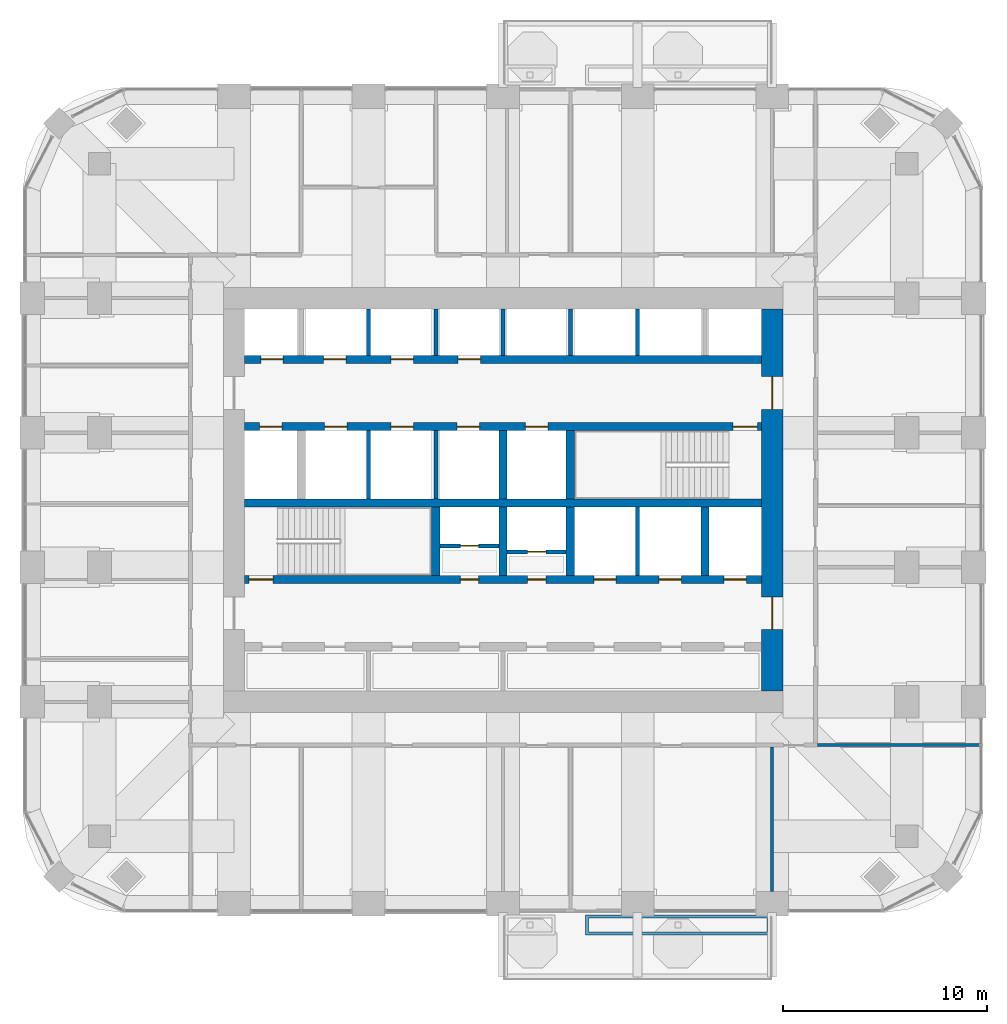
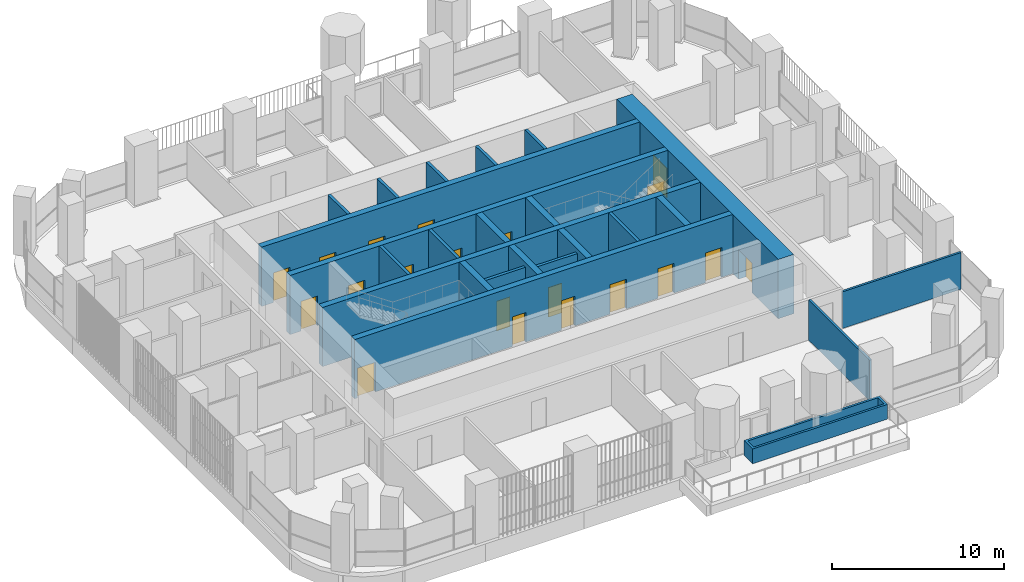
# One storey, part 14 of 20: 24 walls, 20 doors, 20 openings.
"""IFC4 building model written with IfcOpenShell, lengths in metres."""

from ifc_helpers import new_model, si_unit, direction, frame, frame_2d, origin, place, context, subcontext, project, spatial, polyline, rectangle, outline, extrude, material, layer, layer_set, type_object, element, fill, save


model = new_model("IFC4")

# Units and contexts
model_context = context("Model", 3, precision=1e-05, world=origin(), true_north=direction((0.0, 1.0)))
body_context = subcontext(model_context, "Body", "Model", "MODEL_VIEW")
ifc_project = project(units=[si_unit("LENGTHUNIT", "METRE"), si_unit("AREAUNIT", "SQUARE_METRE"), si_unit("VOLUMEUNIT", "CUBIC_METRE"), si_unit("PLANEANGLEUNIT", "RADIAN"), si_unit("MASSUNIT", "GRAM", prefix="KILO")], contexts=[model_context])

# Site, building, storey
site_placement = place(None, origin())
site = spatial("IfcSite", under=ifc_project, at=site_placement, CompositionType="ELEMENT")
building_placement = place(site_placement, origin())
building = spatial("IfcBuilding", under=site, at=building_placement, Name="Cobogo Forest Laboratory Tower", CompositionType="ELEMENT")
storey_placement = place(building_placement, frame((0.0, 0.0, 214.5)))
storey = spatial("IfcBuildingStorey", under=building, at=storey_placement, Name="L49", CompositionType="ELEMENT", Elevation=214.5)

# Wall, openings, doors
ifc_material_1 = material(Name="Concrete HA-50 (C50/60)", Category="concrete")
ifc_layer_1 = layer(ifc_material_1, 0.39990234375)
ifc_layer_set_1 = layer_set([ifc_layer_1], Name="CI400 core inner wall 400")
wall_type_1 = type_object("IfcWallType", Name="CI400 core inner wall 400", PredefinedType="SHEAR", material=ifc_layer_set_1)
wall_1_placement = place(storey_placement, frame((13.72509765625, 19.199951171875, 0.0), z_axis=(0.0, 0.0, 1.0), x_axis=(1.0, 0.0, 0.0)))
wall_1 = element("IfcWall", 1, at=wall_1_placement, inside=storey, type_object=wall_type_1, Name="Core wall CI-19.2 L49", PredefinedType="SHEAR", context=body_context, shape_type="SweptSolid", body=[
    extrude(rectangle(XDim=25.349853515625, YDim=0.39990234375, at=frame_2d((12.6748046875, 0.0))), origin(), (0.0, 0.0, 1.0), 4.199951171875),
])
opening_1_placement = place(wall_1_placement, frame((10.574951171875, 0.0, 0.0)))
opening_1 = element("IfcOpeningElement", 2, at=opening_1_placement, cuts=wall_1, Name="Opening L49-D22", PredefinedType="OPENING", context=body_context, shape_type="SweptSolid", body=[
    extrude(rectangle(XDim=0.89990234375, YDim=2.10009765625, at=frame_2d((0.449951171875, 1.050048828125))), frame((0.0, 0.2099609375, 0.0), z_axis=(0.0, -1.0, 0.0), x_axis=(1.0, 0.0, 0.0)), (0.0, 0.0, 1.0), 0.419921875),
])
opening_2_placement = place(wall_1_placement, frame((13.875, 0.0, 0.0)))
opening_2 = element("IfcOpeningElement", 3, at=opening_2_placement, cuts=wall_1, Name="Opening L49-D23", PredefinedType="OPENING", context=body_context, shape_type="SweptSolid", body=[
    extrude(rectangle(XDim=0.89990234375, YDim=2.10009765625, at=frame_2d((0.449951171875, 1.050048828125))), frame((0.0, 0.2099609375, 0.0), z_axis=(0.0, -1.0, 0.0), x_axis=(1.0, 0.0, 0.0)), (0.0, 0.0, 1.0), 0.419921875),
])
opening_3_placement = place(wall_1_placement, frame((0.199951171875, 0.0, 0.0)))
opening_3 = element("IfcOpeningElement", 4, at=opening_3_placement, cuts=wall_1, Name="Opening L49-D21", PredefinedType="OPENING", context=body_context, shape_type="SweptSolid", body=[
    extrude(rectangle(XDim=1.199951171875, YDim=2.10009765625, at=frame_2d((0.60009765625, 1.050048828125))), frame((0.0, 0.2099609375, 0.0), z_axis=(0.0, -1.0, 0.0), x_axis=(1.0, 0.0, 0.0)), (0.0, 0.0, 1.0), 0.419921875),
])
opening_4_placement = place(wall_1_placement, frame((23.512451171875, 0.0, 0.0)))
opening_4 = element("IfcOpeningElement", 5, at=opening_4_placement, cuts=wall_1, Name="Opening L49-LD-FL2", PredefinedType="OPENING", context=body_context, shape_type="SweptSolid", body=[
    extrude(rectangle(XDim=1.10009765625, YDim=2.10009765625, at=frame_2d((0.550048828125, 1.050048828125))), frame((0.0, 0.2099609375, 0.0), z_axis=(0.0, -1.0, 0.0), x_axis=(1.0, 0.0, 0.0)), (0.0, 0.0, 1.0), 0.419921875),
])
opening_5_placement = place(wall_1_placement, frame((17.125, 0.0, 0.0)))
opening_5 = element("IfcOpeningElement", 6, at=opening_5_placement, cuts=wall_1, Name="Opening L49-LD-LS1", PredefinedType="OPENING", context=body_context, shape_type="SweptSolid", body=[
    extrude(rectangle(XDim=1.10009765625, YDim=2.10009765625, at=frame_2d((0.550048828125, 1.050048828125))), frame((0.0, 0.2099609375, 0.0), z_axis=(0.0, -1.0, 0.0), x_axis=(1.0, 0.0, 0.0)), (0.0, 0.0, 1.0), 0.419921875),
])
opening_6_placement = place(wall_1_placement, frame((20.324951171875, 0.0, 0.0)))
opening_6 = element("IfcOpeningElement", 7, at=opening_6_placement, cuts=wall_1, Name="Opening L49-LD-LS2", PredefinedType="OPENING", context=body_context, shape_type="SweptSolid", body=[
    extrude(rectangle(XDim=1.10009765625, YDim=2.10009765625, at=frame_2d((0.550048828125, 1.050048828125))), frame((0.0, 0.2099609375, 0.0), z_axis=(0.0, -1.0, 0.0), x_axis=(1.0, 0.0, 0.0)), (0.0, 0.0, 1.0), 0.419921875),
])
ifc_material_2 = material(Name="Steel fire door", Category="steel")
door_type_1 = type_object("IfcDoorType", Name="DS1 protected stair door 1200 EI2 60", OperationType="SINGLE_SWING_LEFT", PredefinedType="DOOR", material=ifc_material_2)
door_1_placement = place(opening_3_placement, origin())
door_1 = element("IfcDoor", 8, at=door_1_placement, inside=storey, type_object=door_type_1, Name="Door L49-ST1", OperationType="SINGLE_SWING_LEFT", OverallHeight=2.10009765625, OverallWidth=1.199951171875, PredefinedType="DOOR", context=body_context, shape_type="SweptSolid", body=[
    extrude(rectangle(XDim=1.199951171875, YDim=2.10009765625, at=frame_2d((0.60009765625, 1.050048828125))), frame((0.0, 0.02490234375, 0.0), z_axis=(0.0, -1.0, 0.0), x_axis=(1.0, 0.0, 0.0)), (0.0, 0.0, 1.0), 0.050048828125),
])
fill(opening_3, door_1)
door_type_2 = type_object("IfcDoorType", Name="FD4 riser access door 900 EI2 60", OperationType="SINGLE_SWING_LEFT", PredefinedType="DOOR", material=ifc_material_2)
door_2_placement = place(opening_1_placement, origin())
door_2 = element("IfcDoor", 9, at=door_2_placement, inside=storey, type_object=door_type_2, Name="Door L49-R1V", OperationType="SINGLE_SWING_LEFT", OverallHeight=2.10009765625, OverallWidth=0.89990234375, PredefinedType="DOOR", context=body_context, shape_type="SweptSolid", body=[
    extrude(rectangle(XDim=0.89990234375, YDim=2.10009765625, at=frame_2d((0.449951171875, 1.050048828125))), frame((0.0, 0.02490234375, 0.0), z_axis=(0.0, -1.0, 0.0), x_axis=(1.0, 0.0, 0.0)), (0.0, 0.0, 1.0), 0.050048828125),
])
fill(opening_1, door_2)
door_3_placement = place(opening_2_placement, origin())
door_3 = element("IfcDoor", 10, at=door_3_placement, inside=storey, type_object=door_type_2, Name="Door L49-R2V", OperationType="SINGLE_SWING_RIGHT", OverallHeight=2.10009765625, OverallWidth=0.89990234375, PredefinedType="DOOR", context=body_context, shape_type="SweptSolid", body=[
    extrude(rectangle(XDim=0.89990234375, YDim=2.10009765625, at=frame_2d((0.449951171875, 1.050048828125))), frame((0.0, 0.02490234375, 0.0), z_axis=(0.0, -1.0, 0.0), x_axis=(1.0, 0.0, 0.0)), (0.0, 0.0, 1.0), 0.050048828125),
])
fill(opening_2, door_3)
ifc_material_3 = material(Name="Stainless steel lift door", Category="steel")
door_type_3 = type_object("IfcDoorType", Name="LD lift landing door 1100", OperationType="DOUBLE_DOOR_SLIDING", PredefinedType="DOOR", material=ifc_material_3)
door_4_placement = place(opening_4_placement, origin())
door_4 = element("IfcDoor", 11, at=door_4_placement, inside=storey, type_object=door_type_3, Name="Lift landing door FL2 L49", OperationType="DOUBLE_DOOR_SLIDING", OverallHeight=2.10009765625, OverallWidth=1.10009765625, PredefinedType="DOOR", context=body_context, shape_type="SweptSolid", body=[
    extrude(rectangle(XDim=1.10009765625, YDim=2.10009765625, at=frame_2d((0.550048828125, 1.050048828125))), frame((0.0, 0.02490234375, 0.0), z_axis=(0.0, -1.0, 0.0), x_axis=(1.0, 0.0, 0.0)), (0.0, 0.0, 1.0), 0.050048828125),
])
fill(opening_4, door_4)
door_5_placement = place(opening_5_placement, origin())
door_5 = element("IfcDoor", 12, at=door_5_placement, inside=storey, type_object=door_type_3, Name="Lift landing door LS1 L49", OperationType="DOUBLE_DOOR_SLIDING", OverallHeight=2.10009765625, OverallWidth=1.10009765625, PredefinedType="DOOR", context=body_context, shape_type="SweptSolid", body=[
    extrude(rectangle(XDim=1.10009765625, YDim=2.10009765625, at=frame_2d((0.550048828125, 1.050048828125))), frame((0.0, 0.02490234375, 0.0), z_axis=(0.0, -1.0, 0.0), x_axis=(1.0, 0.0, 0.0)), (0.0, 0.0, 1.0), 0.050048828125),
])
fill(opening_5, door_5)
door_6_placement = place(opening_6_placement, origin())
door_6 = element("IfcDoor", 13, at=door_6_placement, inside=storey, type_object=door_type_3, Name="Lift landing door LS2 L49", OperationType="DOUBLE_DOOR_SLIDING", OverallHeight=2.10009765625, OverallWidth=1.10009765625, PredefinedType="DOOR", context=body_context, shape_type="SweptSolid", body=[
    extrude(rectangle(XDim=1.10009765625, YDim=2.10009765625, at=frame_2d((0.550048828125, 1.050048828125))), frame((0.0, 0.02490234375, 0.0), z_axis=(0.0, -1.0, 0.0), x_axis=(1.0, 0.0, 0.0)), (0.0, 0.0, 1.0), 0.050048828125),
])
fill(opening_6, door_6)

# Wall
wall_2_placement = place(storey_placement, frame((13.72509765625, 22.949951171875, 0.0), z_axis=(0.0, 0.0, 1.0), x_axis=(1.0, 0.0, 0.0)))
element("IfcWall", 14, at=wall_2_placement, inside=storey, type_object=wall_type_1, Name="Core wall CI-22.95 L49", PredefinedType="SHEAR", context=body_context, shape_type="SweptSolid", body=[
    extrude(rectangle(XDim=25.349853515625, YDim=0.39990234375, at=frame_2d((12.6748046875, 0.0))), origin(), (0.0, 0.0, 1.0), 4.199951171875),
])

# Wall, openings, doors
wall_3_placement = place(storey_placement, frame((13.72509765625, 26.699951171875, 0.0), z_axis=(0.0, 0.0, 1.0), x_axis=(1.0, 0.0, 0.0)))
wall_3 = element("IfcWall", 15, at=wall_3_placement, inside=storey, type_object=wall_type_1, Name="Core wall CI-26.7 L49", PredefinedType="SHEAR", context=body_context, shape_type="SweptSolid", body=[
    extrude(rectangle(XDim=25.349853515625, YDim=0.39990234375, at=frame_2d((12.6748046875, 0.0))), origin(), (0.0, 0.0, 1.0), 4.199951171875),
])
opening_7_placement = place(wall_3_placement, frame((23.949951171875, 0.0, 0.0)))
opening_7 = element("IfcOpeningElement", 16, at=opening_7_placement, cuts=wall_3, Name="Opening L49-D30", PredefinedType="OPENING", context=body_context, shape_type="SweptSolid", body=[
    extrude(rectangle(XDim=1.199951171875, YDim=2.10009765625, at=frame_2d((0.60009765625, 1.050048828125))), frame((0.0, 0.2099609375, 0.0), z_axis=(0.0, -1.0, 0.0), x_axis=(1.0, 0.0, 0.0)), (0.0, 0.0, 1.0), 0.419921875),
])
opening_8_placement = place(wall_3_placement, frame((0.737548828125, 0.0, 0.0)))
opening_8 = element("IfcOpeningElement", 17, at=opening_8_placement, cuts=wall_3, Name="Opening L49-LD-FL1", PredefinedType="OPENING", context=body_context, shape_type="SweptSolid", body=[
    extrude(rectangle(XDim=1.10009765625, YDim=2.10009765625, at=frame_2d((0.550048828125, 1.050048828125))), frame((0.0, 0.2099609375, 0.0), z_axis=(0.0, -1.0, 0.0), x_axis=(1.0, 0.0, 0.0)), (0.0, 0.0, 1.0), 0.419921875),
])
opening_9_placement = place(wall_3_placement, frame((3.925048828125, 0.0, 0.0)))
opening_9 = element("IfcOpeningElement", 18, at=opening_9_placement, cuts=wall_3, Name="Opening L49-LD-LS3", PredefinedType="OPENING", context=body_context, shape_type="SweptSolid", body=[
    extrude(rectangle(XDim=1.10009765625, YDim=2.10009765625, at=frame_2d((0.550048828125, 1.050048828125))), frame((0.0, 0.2099609375, 0.0), z_axis=(0.0, -1.0, 0.0), x_axis=(1.0, 0.0, 0.0)), (0.0, 0.0, 1.0), 0.419921875),
])
opening_10_placement = place(wall_3_placement, frame((7.175048828125, 0.0, 0.0)))
opening_10 = element("IfcOpeningElement", 19, at=opening_10_placement, cuts=wall_3, Name="Opening L49-LD-LS4", PredefinedType="OPENING", context=body_context, shape_type="SweptSolid", body=[
    extrude(rectangle(XDim=1.10009765625, YDim=2.10009765625, at=frame_2d((0.550048828125, 1.050048828125))), frame((0.0, 0.2099609375, 0.0), z_axis=(0.0, -1.0, 0.0), x_axis=(1.0, 0.0, 0.0)), (0.0, 0.0, 1.0), 0.419921875),
])
opening_11_placement = place(wall_3_placement, frame((10.425048828125, 0.0, 0.0)))
opening_11 = element("IfcOpeningElement", 20, at=opening_11_placement, cuts=wall_3, Name="Opening L49-LD-LS5", PredefinedType="OPENING", context=body_context, shape_type="SweptSolid", body=[
    extrude(rectangle(XDim=1.10009765625, YDim=2.10009765625, at=frame_2d((0.550048828125, 1.050048828125))), frame((0.0, 0.2099609375, 0.0), z_axis=(0.0, -1.0, 0.0), x_axis=(1.0, 0.0, 0.0)), (0.0, 0.0, 1.0), 0.419921875),
])
opening_12_placement = place(wall_3_placement, frame((13.77490234375, 0.0, 0.0)))
opening_12 = element("IfcOpeningElement", 21, at=opening_12_placement, cuts=wall_3, Name="Opening L49-LD-LS6", PredefinedType="OPENING", context=body_context, shape_type="SweptSolid", body=[
    extrude(rectangle(XDim=1.10009765625, YDim=2.10009765625, at=frame_2d((0.550048828125, 1.050048828125))), frame((0.0, 0.2099609375, 0.0), z_axis=(0.0, -1.0, 0.0), x_axis=(1.0, 0.0, 0.0)), (0.0, 0.0, 1.0), 0.419921875),
])
door_7_placement = place(opening_7_placement, origin())
door_7 = element("IfcDoor", 22, at=door_7_placement, inside=storey, type_object=door_type_1, Name="Door L49-ST2", OperationType="SINGLE_SWING_RIGHT", OverallHeight=2.10009765625, OverallWidth=1.199951171875, PredefinedType="DOOR", context=body_context, shape_type="SweptSolid", body=[
    extrude(rectangle(XDim=1.199951171875, YDim=2.10009765625, at=frame_2d((0.60009765625, 1.050048828125))), frame((0.0, 0.02490234375, 0.0), z_axis=(0.0, -1.0, 0.0), x_axis=(1.0, 0.0, 0.0)), (0.0, 0.0, 1.0), 0.050048828125),
])
fill(opening_7, door_7)
door_8_placement = place(opening_8_placement, origin())
door_8 = element("IfcDoor", 23, at=door_8_placement, inside=storey, type_object=door_type_3, Name="Lift landing door FL1 L49", OperationType="DOUBLE_DOOR_SLIDING", OverallHeight=2.10009765625, OverallWidth=1.10009765625, PredefinedType="DOOR", context=body_context, shape_type="SweptSolid", body=[
    extrude(rectangle(XDim=1.10009765625, YDim=2.10009765625, at=frame_2d((0.550048828125, 1.050048828125))), frame((0.0, 0.02490234375, 0.0), z_axis=(0.0, -1.0, 0.0), x_axis=(1.0, 0.0, 0.0)), (0.0, 0.0, 1.0), 0.050048828125),
])
fill(opening_8, door_8)
door_9_placement = place(opening_9_placement, origin())
door_9 = element("IfcDoor", 24, at=door_9_placement, inside=storey, type_object=door_type_3, Name="Lift landing door LS3 L49", OperationType="DOUBLE_DOOR_SLIDING", OverallHeight=2.10009765625, OverallWidth=1.10009765625, PredefinedType="DOOR", context=body_context, shape_type="SweptSolid", body=[
    extrude(rectangle(XDim=1.10009765625, YDim=2.10009765625, at=frame_2d((0.550048828125, 1.050048828125))), frame((0.0, 0.02490234375, 0.0), z_axis=(0.0, -1.0, 0.0), x_axis=(1.0, 0.0, 0.0)), (0.0, 0.0, 1.0), 0.050048828125),
])
fill(opening_9, door_9)
door_10_placement = place(opening_10_placement, origin())
door_10 = element("IfcDoor", 25, at=door_10_placement, inside=storey, type_object=door_type_3, Name="Lift landing door LS4 L49", OperationType="DOUBLE_DOOR_SLIDING", OverallHeight=2.10009765625, OverallWidth=1.10009765625, PredefinedType="DOOR", context=body_context, shape_type="SweptSolid", body=[
    extrude(rectangle(XDim=1.10009765625, YDim=2.10009765625, at=frame_2d((0.550048828125, 1.050048828125))), frame((0.0, 0.02490234375, 0.0), z_axis=(0.0, -1.0, 0.0), x_axis=(1.0, 0.0, 0.0)), (0.0, 0.0, 1.0), 0.050048828125),
])
fill(opening_10, door_10)
door_11_placement = place(opening_11_placement, origin())
door_11 = element("IfcDoor", 26, at=door_11_placement, inside=storey, type_object=door_type_3, Name="Lift landing door LS5 L49", OperationType="DOUBLE_DOOR_SLIDING", OverallHeight=2.10009765625, OverallWidth=1.10009765625, PredefinedType="DOOR", context=body_context, shape_type="SweptSolid", body=[
    extrude(rectangle(XDim=1.10009765625, YDim=2.10009765625, at=frame_2d((0.550048828125, 1.050048828125))), frame((0.0, 0.02490234375, 0.0), z_axis=(0.0, -1.0, 0.0), x_axis=(1.0, 0.0, 0.0)), (0.0, 0.0, 1.0), 0.050048828125),
])
fill(opening_11, door_11)
door_12_placement = place(opening_12_placement, origin())
door_12 = element("IfcDoor", 27, at=door_12_placement, inside=storey, type_object=door_type_3, Name="Lift landing door LS6 L49", OperationType="DOUBLE_DOOR_SLIDING", OverallHeight=2.10009765625, OverallWidth=1.10009765625, PredefinedType="DOOR", context=body_context, shape_type="SweptSolid", body=[
    extrude(rectangle(XDim=1.10009765625, YDim=2.10009765625, at=frame_2d((0.550048828125, 1.050048828125))), frame((0.0, 0.02490234375, 0.0), z_axis=(0.0, -1.0, 0.0), x_axis=(1.0, 0.0, 0.0)), (0.0, 0.0, 1.0), 0.050048828125),
])
fill(opening_12, door_12)

wall_4_placement = place(storey_placement, frame((13.72509765625, 30.0, 0.0), z_axis=(0.0, 0.0, 1.0), x_axis=(1.0, 0.0, 0.0)))
wall_4 = element("IfcWall", 28, at=wall_4_placement, inside=storey, type_object=wall_type_1, Name="Core wall CI-30.0 L49", PredefinedType="SHEAR", context=body_context, shape_type="SweptSolid", body=[
    extrude(rectangle(XDim=25.349853515625, YDim=0.39990234375, at=frame_2d((12.6748046875, 0.0))), origin(), (0.0, 0.0, 1.0), 4.199951171875),
])
opening_13_placement = place(wall_4_placement, frame((0.78759765625, 0.0, 0.0)))
opening_13 = element("IfcOpeningElement", 29, at=opening_13_placement, cuts=wall_4, Name="Opening L49-LD-LC1", PredefinedType="OPENING", context=body_context, shape_type="SweptSolid", body=[
    extrude(rectangle(XDim=1.10009765625, YDim=2.10009765625, at=frame_2d((0.550048828125, 1.050048828125))), frame((0.0, 0.2099609375, 0.0), z_axis=(0.0, -1.0, 0.0), x_axis=(1.0, 0.0, 0.0)), (0.0, 0.0, 1.0), 0.419921875),
])
opening_14_placement = place(wall_4_placement, frame((3.875, 0.0, 0.0)))
opening_14 = element("IfcOpeningElement", 30, at=opening_14_placement, cuts=wall_4, Name="Opening L49-LD-LC2", PredefinedType="OPENING", context=body_context, shape_type="SweptSolid", body=[
    extrude(rectangle(XDim=1.10009765625, YDim=2.10009765625, at=frame_2d((0.550048828125, 1.050048828125))), frame((0.0, 0.2099609375, 0.0), z_axis=(0.0, -1.0, 0.0), x_axis=(1.0, 0.0, 0.0)), (0.0, 0.0, 1.0), 0.419921875),
])
opening_15_placement = place(wall_4_placement, frame((7.175048828125, 0.0, 0.0)))
opening_15 = element("IfcOpeningElement", 31, at=opening_15_placement, cuts=wall_4, Name="Opening L49-LD-LC3", PredefinedType="OPENING", context=body_context, shape_type="SweptSolid", body=[
    extrude(rectangle(XDim=1.10009765625, YDim=2.10009765625, at=frame_2d((0.550048828125, 1.050048828125))), frame((0.0, 0.2099609375, 0.0), z_axis=(0.0, -1.0, 0.0), x_axis=(1.0, 0.0, 0.0)), (0.0, 0.0, 1.0), 0.419921875),
])
opening_16_placement = place(wall_4_placement, frame((10.47509765625, 0.0, 0.0)))
opening_16 = element("IfcOpeningElement", 32, at=opening_16_placement, cuts=wall_4, Name="Opening L49-LD-LC4", PredefinedType="OPENING", context=body_context, shape_type="SweptSolid", body=[
    extrude(rectangle(XDim=1.10009765625, YDim=2.10009765625, at=frame_2d((0.550048828125, 1.050048828125))), frame((0.0, 0.2099609375, 0.0), z_axis=(0.0, -1.0, 0.0), x_axis=(1.0, 0.0, 0.0)), (0.0, 0.0, 1.0), 0.419921875),
])
door_13_placement = place(opening_13_placement, origin())
door_13 = element("IfcDoor", 33, at=door_13_placement, inside=storey, type_object=door_type_3, Name="Lift landing door LC1 L49", OperationType="DOUBLE_DOOR_SLIDING", OverallHeight=2.10009765625, OverallWidth=1.10009765625, PredefinedType="DOOR", context=body_context, shape_type="SweptSolid", body=[
    extrude(rectangle(XDim=1.10009765625, YDim=2.10009765625, at=frame_2d((0.550048828125, 1.050048828125))), frame((0.0, 0.02490234375, 0.0), z_axis=(0.0, -1.0, 0.0), x_axis=(1.0, 0.0, 0.0)), (0.0, 0.0, 1.0), 0.050048828125),
])
fill(opening_13, door_13)
door_14_placement = place(opening_14_placement, origin())
door_14 = element("IfcDoor", 34, at=door_14_placement, inside=storey, type_object=door_type_3, Name="Lift landing door LC2 L49", OperationType="DOUBLE_DOOR_SLIDING", OverallHeight=2.10009765625, OverallWidth=1.10009765625, PredefinedType="DOOR", context=body_context, shape_type="SweptSolid", body=[
    extrude(rectangle(XDim=1.10009765625, YDim=2.10009765625, at=frame_2d((0.550048828125, 1.050048828125))), frame((0.0, 0.02490234375, 0.0), z_axis=(0.0, -1.0, 0.0), x_axis=(1.0, 0.0, 0.0)), (0.0, 0.0, 1.0), 0.050048828125),
])
fill(opening_14, door_14)
door_15_placement = place(opening_15_placement, origin())
door_15 = element("IfcDoor", 35, at=door_15_placement, inside=storey, type_object=door_type_3, Name="Lift landing door LC3 L49", OperationType="DOUBLE_DOOR_SLIDING", OverallHeight=2.10009765625, OverallWidth=1.10009765625, PredefinedType="DOOR", context=body_context, shape_type="SweptSolid", body=[
    extrude(rectangle(XDim=1.10009765625, YDim=2.10009765625, at=frame_2d((0.550048828125, 1.050048828125))), frame((0.0, 0.02490234375, 0.0), z_axis=(0.0, -1.0, 0.0), x_axis=(1.0, 0.0, 0.0)), (0.0, 0.0, 1.0), 0.050048828125),
])
fill(opening_15, door_15)
door_16_placement = place(opening_16_placement, origin())
door_16 = element("IfcDoor", 36, at=door_16_placement, inside=storey, type_object=door_type_3, Name="Lift landing door LC4 L49", OperationType="DOUBLE_DOOR_SLIDING", OverallHeight=2.10009765625, OverallWidth=1.10009765625, PredefinedType="DOOR", context=body_context, shape_type="SweptSolid", body=[
    extrude(rectangle(XDim=1.10009765625, YDim=2.10009765625, at=frame_2d((0.550048828125, 1.050048828125))), frame((0.0, 0.02490234375, 0.0), z_axis=(0.0, -1.0, 0.0), x_axis=(1.0, 0.0, 0.0)), (0.0, 0.0, 1.0), 0.050048828125),
])
fill(opening_16, door_16)

# Walls
for number, where, z_axis, x_axis, name in (
    (37, (23.10009765625, 19.39990234375, 0.0), (0.0, 0.0, 1.0), (0.0, 1.0, 0.0), "Core wall CX-23.1 L49"),
    (38, (26.39990234375, 19.39990234375, 0.0), (0.0, 0.0, 1.0), (0.0, 1.0, 0.0), "Core wall CX-26.4S L49"),
    (39, (29.699951171875, 19.39990234375, 0.0), (0.0, 0.0, 1.0), (0.0, 1.0, 0.0), "Core wall CX-29.7S L49"),
    (40, (36.300048828125, 19.39990234375, 0.0), (0.0, 0.0, 1.0), (0.0, 1.0, 0.0), "Core wall CX-36.3 L49"),
    (41, (26.39990234375, 23.14990234375, 0.0), (0.0, 0.0, 1.0), (0.0, 1.0, 0.0), "Core wall CX-26.4N L49"),
    (42, (29.699951171875, 23.14990234375, 0.0), (0.0, 0.0, 1.0), (0.0, 1.0, 0.0), "Core wall CX-29.7N L49"),
):
    element("IfcWall", number, at=place(storey_placement, frame(where, z_axis=z_axis, x_axis=x_axis)), inside=storey, type_object=wall_type_1, Name=name, PredefinedType="SHEAR", context=body_context, shape_type="SweptSolid", body=[
        extrude(rectangle(XDim=3.35009765625, YDim=0.39990234375, at=frame_2d((1.675048828125, 0.0))), origin(), (0.0, 0.0, 1.0), 4.199951171875),
    ])

# Wall, openings, doors
ifc_layer_2 = layer(ifc_material_1, 1.050048828125)
ifc_layer_set_2 = layer_set([ifc_layer_2], Name="CW1050 core outer wall 1050")
wall_type_2 = type_object("IfcWallType", Name="CW1050 core outer wall 1050", PredefinedType="SHEAR", material=ifc_layer_set_2)
wall_5_placement = place(storey_placement, frame((39.60009765625, 13.72509765625, 0.0), z_axis=(0.0, 0.0, 1.0), x_axis=(0.0, 1.0, 0.0)))
wall_5 = element("IfcWall", 43, at=wall_5_placement, inside=storey, type_object=wall_type_2, Name="Core wall CO-E L49", PredefinedType="SHEAR", context=body_context, shape_type="SweptSolid", body=[
    extrude(rectangle(XDim=18.75, YDim=1.050048828125, at=frame_2d((9.375, 0.0))), origin(), (0.0, 0.0, 1.0), 4.199951171875),
])
opening_17_placement = place(wall_5_placement, frame((3.02490234375, 0.0, 0.0)))
opening_17 = element("IfcOpeningElement", 44, at=opening_17_placement, cuts=wall_5, Name="Opening L49-D20", PredefinedType="OPENING", context=body_context, shape_type="SweptSolid", body=[
    extrude(rectangle(XDim=1.60009765625, YDim=2.10009765625, at=frame_2d((0.800048828125, 1.050048828125))), frame((0.0, 0.534912109375, 0.0), z_axis=(0.0, -1.0, 0.0), x_axis=(1.0, 0.0, 0.0)), (0.0, 0.0, 1.0), 1.070068359375),
])
opening_18_placement = place(wall_5_placement, frame((13.824951171875, 0.0, 0.0)))
opening_18 = element("IfcOpeningElement", 45, at=opening_18_placement, cuts=wall_5, Name="Opening L49-D33", PredefinedType="OPENING", context=body_context, shape_type="SweptSolid", body=[
    extrude(rectangle(XDim=1.60009765625, YDim=2.10009765625, at=frame_2d((0.800048828125, 1.050048828125))), frame((0.0, 0.534912109375, 0.0), z_axis=(0.0, -1.0, 0.0), x_axis=(1.0, 0.0, 0.0)), (0.0, 0.0, 1.0), 1.070068359375),
])
door_type_4 = type_object("IfcDoorType", Name="DS2 protected lobby door pair 1600 EI2 60", OperationType="DOUBLE_DOOR_DOUBLE_SWING", PredefinedType="DOOR", material=ifc_material_2)
door_17_placement = place(opening_17_placement, origin())
door_17 = element("IfcDoor", 46, at=door_17_placement, inside=storey, type_object=door_type_4, Name="Door L49-CO-E-S", OperationType="DOUBLE_DOOR_DOUBLE_SWING", OverallHeight=2.10009765625, OverallWidth=1.60009765625, PredefinedType="DOOR", context=body_context, shape_type="SweptSolid", body=[
    extrude(rectangle(XDim=1.60009765625, YDim=2.10009765625, at=frame_2d((0.800048828125, 1.050048828125))), frame((0.0, 0.02490234375, 0.0), z_axis=(0.0, -1.0, 0.0), x_axis=(1.0, 0.0, 0.0)), (0.0, 0.0, 1.0), 0.050048828125),
])
fill(opening_17, door_17)
door_18_placement = place(opening_18_placement, origin())
door_18 = element("IfcDoor", 47, at=door_18_placement, inside=storey, type_object=door_type_4, Name="Door L49-CO-E-N", OperationType="DOUBLE_DOOR_DOUBLE_SWING", OverallHeight=2.10009765625, OverallWidth=1.60009765625, PredefinedType="DOOR", context=body_context, shape_type="SweptSolid", body=[
    extrude(rectangle(XDim=1.60009765625, YDim=2.10009765625, at=frame_2d((0.800048828125, 1.050048828125))), frame((0.0, 0.02490234375, 0.0), z_axis=(0.0, -1.0, 0.0), x_axis=(1.0, 0.0, 0.0)), (0.0, 0.0, 1.0), 0.050048828125),
])
fill(opening_18, door_18)

# Walls
ifc_material_4 = material(Name="Gypsum board on steel studs", Category="steel")
ifc_layer_3 = layer(ifc_material_4, 0.14990234375)
ifc_layer_set_3 = layer_set([ifc_layer_3], Name="PT1 laboratory partition 150")
wall_type_3 = type_object("IfcWallType", Name="PT1 laboratory partition 150", PredefinedType="PARTITIONING", material=ifc_layer_set_3)
wall_6_placement = place(storey_placement, frame((49.77001953125, 11.074951171875, 0.0), z_axis=(0.0, 0.0, 1.0), x_axis=(-1.0, 0.0, 0.0)))
element("IfcWall", 48, at=wall_6_placement, inside=storey, type_object=wall_type_3, Name="Partition PW-SE L49", PredefinedType="PARTITIONING", context=body_context, shape_type="SweptSolid", body=[
    extrude(rectangle(XDim=7.945068359375, YDim=0.14990234375, at=frame_2d((3.97265625, 0.0))), origin(), (0.0, 0.0, 1.0), 2.60009765625),
])
wall_7_placement = place(storey_placement, frame((39.60009765625, 3.89990234375, 0.0), z_axis=(0.0, 0.0, 1.0), x_axis=(0.0, 1.0, 0.0)))
element("IfcWall", 49, at=wall_7_placement, inside=storey, type_object=wall_type_3, Name="Partition CUT-S39.6-1 L49", PredefinedType="PARTITIONING", context=body_context, shape_type="SweptSolid", body=[
    extrude(rectangle(XDim=7.0751953125, YDim=0.14990234375, at=frame_2d((3.53759765625, 0.0))), origin(), (0.0, 0.0, 1.0), 2.85009765625),
])

# Wall, opening, door
ifc_layer_4 = layer(ifc_material_4, 0.199951171875)
ifc_layer_set_4 = layer_set([ifc_layer_4], Name="PT2 fire-rated corridor partition 200")
wall_type_4 = type_object("IfcWallType", Name="PT2 fire-rated corridor partition 200", PredefinedType="PARTITIONING", material=ifc_layer_set_4)
wall_8_placement = place(storey_placement, frame((23.300048828125, 20.85009765625, 0.0), z_axis=(0.0, 0.0, 1.0), x_axis=(1.0, 0.0, 0.0)))
wall_8 = element("IfcWall", 50, at=wall_8_placement, inside=storey, type_object=wall_type_4, Name="Partition RSPLIT-R1 L49", PredefinedType="PARTITIONING", context=body_context, shape_type="SweptSolid", body=[
    extrude(rectangle(XDim=2.89990234375, YDim=0.199951171875, at=frame_2d((1.449951171875, 0.0))), origin(), (0.0, 0.0, 1.0), 3.89990234375),
])
opening_19_placement = place(wall_8_placement, frame((1.0, 0.0, 0.0)))
opening_19 = element("IfcOpeningElement", 51, at=opening_19_placement, cuts=wall_8, Name="Opening L49-D25", PredefinedType="OPENING", context=body_context, shape_type="SweptSolid", body=[
    extrude(rectangle(XDim=0.89990234375, YDim=2.10009765625, at=frame_2d((0.449951171875, 1.050048828125))), frame((0.0, 0.10986328125, 0.0), z_axis=(0.0, -1.0, 0.0), x_axis=(1.0, 0.0, 0.0)), (0.0, 0.0, 1.0), 0.219970703125),
])
door_19_placement = place(opening_19_placement, origin())
door_19 = element("IfcDoor", 52, at=door_19_placement, inside=storey, type_object=door_type_2, Name="Door L49-R1", OperationType="SINGLE_SWING_RIGHT", OverallHeight=2.10009765625, OverallWidth=0.89990234375, PredefinedType="DOOR", context=body_context, shape_type="SweptSolid", body=[
    extrude(rectangle(XDim=0.89990234375, YDim=2.10009765625, at=frame_2d((0.449951171875, 1.050048828125))), frame((0.0, 0.02490234375, 0.0), z_axis=(0.0, -1.0, 0.0), x_axis=(1.0, 0.0, 0.0)), (0.0, 0.0, 1.0), 0.050048828125),
])
fill(opening_19, door_19)

wall_9_placement = place(storey_placement, frame((26.60009765625, 20.550048828125, 0.0), z_axis=(0.0, 0.0, 1.0), x_axis=(1.0, 0.0, 0.0)))
wall_9 = element("IfcWall", 53, at=wall_9_placement, inside=storey, type_object=wall_type_4, Name="Partition RSPLIT-R2 L49", PredefinedType="PARTITIONING", context=body_context, shape_type="SweptSolid", body=[
    extrude(rectangle(XDim=2.89990234375, YDim=0.199951171875, at=frame_2d((1.449951171875, 0.0))), origin(), (0.0, 0.0, 1.0), 3.89990234375),
])
opening_20_placement = place(wall_9_placement, frame((1.0, 0.0, 0.0)))
opening_20 = element("IfcOpeningElement", 54, at=opening_20_placement, cuts=wall_9, Name="Opening L49-D24", PredefinedType="OPENING", context=body_context, shape_type="SweptSolid", body=[
    extrude(rectangle(XDim=0.89990234375, YDim=2.10009765625, at=frame_2d((0.449951171875, 1.050048828125))), frame((0.0, 0.10986328125, 0.0), z_axis=(0.0, -1.0, 0.0), x_axis=(1.0, 0.0, 0.0)), (0.0, 0.0, 1.0), 0.219970703125),
])
door_20_placement = place(opening_20_placement, origin())
door_20 = element("IfcDoor", 55, at=door_20_placement, inside=storey, type_object=door_type_2, Name="Door L49-R2", OperationType="SINGLE_SWING_RIGHT", OverallHeight=2.10009765625, OverallWidth=0.89990234375, PredefinedType="DOOR", context=body_context, shape_type="SweptSolid", body=[
    extrude(rectangle(XDim=0.89990234375, YDim=2.10009765625, at=frame_2d((0.449951171875, 1.050048828125))), frame((0.0, 0.02490234375, 0.0), z_axis=(0.0, -1.0, 0.0), x_axis=(1.0, 0.0, 0.0)), (0.0, 0.0, 1.0), 0.050048828125),
])
fill(opening_20, door_20)

# Walls
ifc_material_5 = material(Name="Concrete HA-40 (C40/50)", Category="concrete")
ifc_layer_5 = layer(ifc_material_5, 0.14990234375)
ifc_layer_set_5 = layer_set([ifc_layer_5], Name="Planter box 1000x1050")
wall_type_5 = type_object("IfcWallType", Name="Planter box 1000x1050", PredefinedType="USERDEFINED", material=ifc_layer_set_5)
wall_10_placement = place(storey_placement, origin())
element("IfcWall", 56, at=wall_10_placement, inside=storey, type_object=wall_type_5, Name="Planter BAL-S1-2 L49", ObjectType="PLANTER", PredefinedType="USERDEFINED", context=body_context, shape_type="SweptSolid", body=[
    extrude(outline(polyline([(30.449951171875, 1.75), (39.5, 1.75), (39.5, 2.75), (30.449951171875, 2.75), (30.449951171875, 1.75)]), holes=[polyline([(30.60009765625, 1.89990234375), (39.35009765625, 1.89990234375), (39.35009765625, 2.60009765625), (30.60009765625, 2.60009765625), (30.60009765625, 1.89990234375)])]), origin(), (0.0, 0.0, 1.0), 1.050048828125),
])
ifc_material_6 = material(Name="Concrete block", Category="concrete")
ifc_layer_6 = layer(ifc_material_6, 0.199951171875)
ifc_layer_set_6 = layer_set([ifc_layer_6], Name="SW200 lift shaft separator 200")
wall_type_6 = type_object("IfcWallType", Name="SW200 lift shaft separator 200", PredefinedType="PARTITIONING", material=ifc_layer_set_6)
for number, where, z_axis, x_axis, name in (
    (57, (19.800048828125, 30.199951171875, 0.0), (0.0, 0.0, 1.0), (0.0, 1.0, 0.0), "Core wall SEP-N2 L49"),
    (58, (23.10009765625, 30.199951171875, 0.0), (0.0, 0.0, 1.0), (0.0, 1.0, 0.0), "Core wall SEP-N3 L49"),
    (59, (26.39990234375, 30.199951171875, 0.0), (0.0, 0.0, 1.0), (0.0, 1.0, 0.0), "Core wall SEP-N4 L49"),
    (60, (29.699951171875, 30.199951171875, 0.0), (0.0, 0.0, 1.0), (0.0, 1.0, 0.0), "Core wall SEP-N5 L49"),
    (61, (33.0, 30.199951171875, 0.0), (0.0, 0.0, 1.0), (0.0, 1.0, 0.0), "Core wall SEP-N6 L49"),
):
    element("IfcWall", number, at=place(storey_placement, frame(where, z_axis=z_axis, x_axis=x_axis)), inside=storey, type_object=wall_type_6, Name=name, PredefinedType="PARTITIONING", context=body_context, shape_type="SweptSolid", body=[
        extrude(rectangle(XDim=2.275146484375, YDim=0.199951171875, at=frame_2d((1.1376953125, 0.0))), origin(), (0.0, 0.0, 1.0), 4.199951171875),
    ])
for number, where, z_axis, x_axis, name in (
    (62, (33.0, 19.39990234375, 0.0), (0.0, 0.0, 1.0), (0.0, 1.0, 0.0), "Core wall SEP-M33.0 L49"),
    (63, (19.800048828125, 23.14990234375, 0.0), (0.0, 0.0, 1.0), (0.0, 1.0, 0.0), "Core wall SEP-M19.8 L49"),
    (64, (23.10009765625, 23.14990234375, 0.0), (0.0, 0.0, 1.0), (0.0, 1.0, 0.0), "Core wall SEP-M23.1 L49"),
):
    element("IfcWall", number, at=place(storey_placement, frame(where, z_axis=z_axis, x_axis=x_axis)), inside=storey, type_object=wall_type_6, Name=name, PredefinedType="PARTITIONING", context=body_context, shape_type="SweptSolid", body=[
        extrude(rectangle(XDim=3.35009765625, YDim=0.199951171875, at=frame_2d((1.675048828125, 0.0))), origin(), (0.0, 0.0, 1.0), 4.199951171875),
    ])

save(model, "model.ifc")
